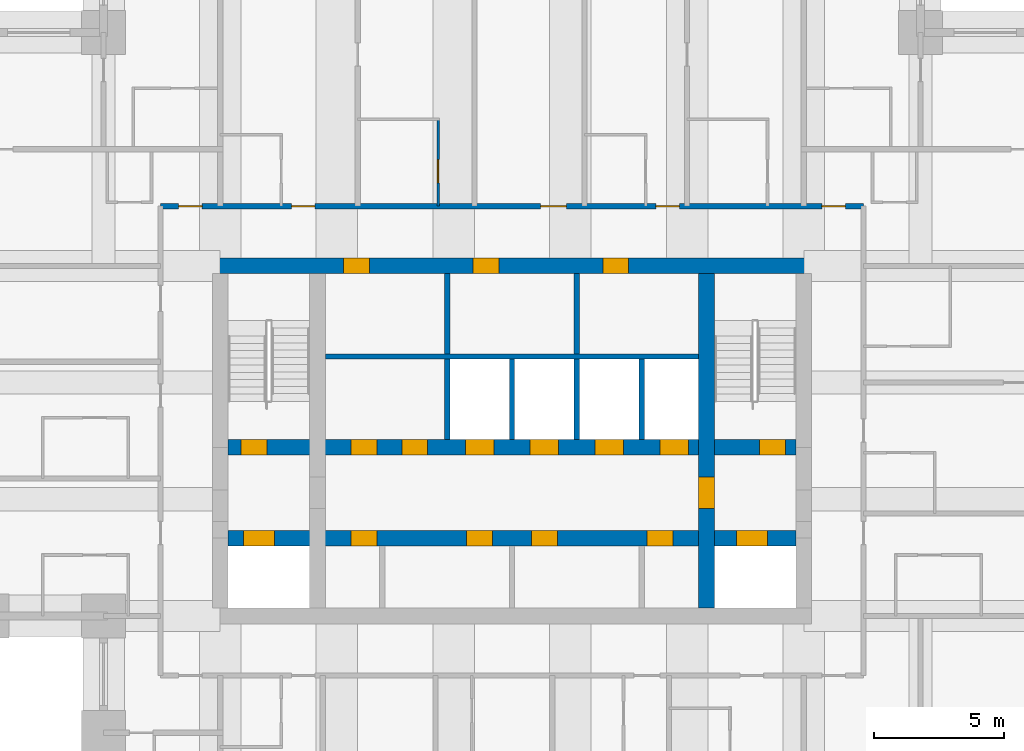
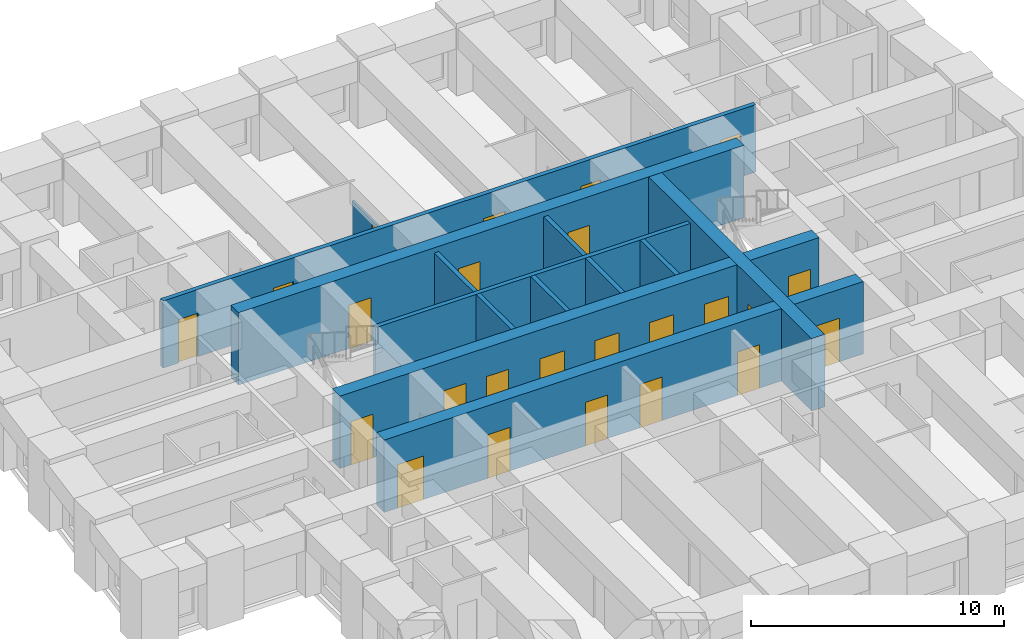
# One storey, part 4 of 8: 24 doors, 13 walls, 24 openings.
"""IFC4 building model written with IfcOpenShell, lengths in metres."""

from ifc_helpers import new_model, si_unit, direction, frame, frame_2d, origin, place, context, subcontext, project, spatial, rectangle, extrude, material, layer, layer_set, type_object, element, fill, save


model = new_model("IFC4")

# Units and contexts
model_context = context("Model", 3, precision=1e-05, world=origin(), true_north=direction((0.0, 1.0)))
body_context = subcontext(model_context, "Body", "Model", "MODEL_VIEW")
ifc_project = project(units=[si_unit("LENGTHUNIT", "METRE"), si_unit("AREAUNIT", "SQUARE_METRE"), si_unit("VOLUMEUNIT", "CUBIC_METRE"), si_unit("PLANEANGLEUNIT", "RADIAN"), si_unit("MASSUNIT", "GRAM", prefix="KILO")], contexts=[model_context])

# Site, building, storey
site_placement = place(None, origin())
site = spatial("IfcSite", under=ifc_project, at=site_placement, CompositionType="ELEMENT")
building_placement = place(site_placement, origin())
building = spatial("IfcBuilding", under=site, at=building_placement, Name="Kilele Tower Hotel", CompositionType="ELEMENT")
storey_placement = place(building_placement, frame((0.0, 0.0, 200.89990234375)))
storey = spatial("IfcBuildingStorey", under=building, at=storey_placement, Name="L52", CompositionType="ELEMENT", Elevation=200.89990234375)

# Wall, opening, door
ifc_material_1 = material(Name="Moisture-resistant board")
ifc_layer_1 = layer(ifc_material_1, 0.10009765625)
ifc_layer_set_1 = layer_set([ifc_layer_1], Name="Moisture-resistant board")
wall_type_1 = type_object("IfcWallType", Name="Bathroom partition 100", PredefinedType="PLUMBINGWALL", material=ifc_layer_set_1)
wall_1_placement = place(storey_placement, frame((21.89990234375, 29.300048828125, 0.0), z_axis=(0.0, 0.0, 1.0), x_axis=(0.0, 1.0, 0.0)))
wall_1 = element("IfcWall", 1, at=wall_1_placement, inside=storey, type_object=wall_type_1, Name="Bathroom partition 100 L52", PredefinedType="PLUMBINGWALL", context=body_context, shape_type="SweptSolid", body=[
    extrude(rectangle(XDim=3.39990234375, YDim=0.10009765625, at=frame_2d((1.699951171875, 0.0))), origin(), (0.0, 0.0, 1.0), 2.25),
])
opening_1_placement = place(wall_1_placement, frame((1.7998046875, 0.0, 0.0), z_axis=(0.0, 0.0, 1.0), x_axis=(-1.0, 0.0, 0.0)))
opening_1 = element("IfcOpeningElement", 2, at=opening_1_placement, cuts=wall_1, Name="Opening D2A", PredefinedType="OPENING", context=body_context, shape_type="SweptSolid", body=[
    extrude(rectangle(XDim=0.89990234375, YDim=2.10009765625, at=frame_2d((0.449951171875, 1.050048828125))), frame((0.0, 0.06005859375, 0.0), z_axis=(0.0, -1.0, 0.0), x_axis=(1.0, 0.0, 0.0)), (0.0, 0.0, 1.0), 0.1201171875),
])
ifc_material_2 = material(Name="Timber door leaf in hardwood frame", Category="wood")
door_type_1 = type_object("IfcDoorType", Name="Bathroom door 900", OperationType="SINGLE_SWING_LEFT", PredefinedType="DOOR", material=ifc_material_2)
door_1_placement = place(opening_1_placement, origin())
door_1 = element("IfcDoor", 3, at=door_1_placement, inside=storey, type_object=door_type_1, Name="Bathroom door 5210B", OperationType="SINGLE_SWING_RIGHT", OverallHeight=2.10009765625, OverallWidth=0.89990234375, PredefinedType="DOOR", context=body_context, shape_type="SweptSolid", body=[
    extrude(rectangle(XDim=0.89990234375, YDim=2.10009765625, at=frame_2d((0.449951171875, 1.050048828125))), frame((0.0, 0.02490234375, 0.0), z_axis=(0.0, -1.0, 0.0), x_axis=(1.0, 0.0, 0.0)), (0.0, 0.0, 1.0), 0.050048828125),
])
fill(opening_1, door_1)

# Wall, openings, doors
ifc_material_3 = material(Name="Concrete C70/85", Category="concrete")
ifc_layer_2 = layer(ifc_material_3, 0.60009765625)
ifc_layer_set_2 = layer_set([ifc_layer_2], Name="Concrete C70/85")
wall_type_2 = type_object("IfcWallType", Name="Core wall 600 C70/85", PredefinedType="SHEAR", material=ifc_layer_set_2)
wall_2_placement = place(storey_placement, frame((36.300048828125, 27.0, 0.0), z_axis=(0.0, 0.0, 1.0), x_axis=(-1.0, 0.0, 0.0)))
wall_2 = element("IfcWall", 4, at=wall_2_placement, inside=storey, type_object=wall_type_2, Name="Core wall N L52", PredefinedType="SHEAR", context=body_context, shape_type="SweptSolid", body=[
    extrude(rectangle(XDim=23.10009765625, YDim=0.60009765625, at=frame_2d((11.550048828125, 0.0))), origin(), (0.0, 0.0, 1.0), 3.5),
])
opening_2_placement = place(wall_2_placement, frame((17.050048828125, 0.0, 0.0)))
opening_2 = element("IfcOpeningElement", 5, at=opening_2_placement, cuts=wall_2, Name="Opening D6", PredefinedType="OPENING", context=body_context, shape_type="SweptSolid", body=[
    extrude(rectangle(XDim=1.0, YDim=2.10009765625, at=frame_2d((0.5, 1.050048828125))), frame((0.0, 0.31005859375, 0.0), z_axis=(0.0, -1.0, 0.0), x_axis=(1.0, 0.0, 0.0)), (0.0, 0.0, 1.0), 0.6201171875),
])
opening_3_placement = place(wall_2_placement, frame((12.050048828125, 0.0, 0.0)))
opening_3 = element("IfcOpeningElement", 6, at=opening_3_placement, cuts=wall_2, Name="Opening D6", PredefinedType="OPENING", context=body_context, shape_type="SweptSolid", body=[
    extrude(rectangle(XDim=1.0, YDim=2.10009765625, at=frame_2d((0.5, 1.050048828125))), frame((0.0, 0.31005859375, 0.0), z_axis=(0.0, -1.0, 0.0), x_axis=(1.0, 0.0, 0.0)), (0.0, 0.0, 1.0), 0.6201171875),
])
opening_4_placement = place(wall_2_placement, frame((7.050048828125, 0.0, 0.0)))
opening_4 = element("IfcOpeningElement", 7, at=opening_4_placement, cuts=wall_2, Name="Opening D6", PredefinedType="OPENING", context=body_context, shape_type="SweptSolid", body=[
    extrude(rectangle(XDim=1.0, YDim=2.10009765625, at=frame_2d((0.5, 1.050048828125))), frame((0.0, 0.31005859375, 0.0), z_axis=(0.0, -1.0, 0.0), x_axis=(1.0, 0.0, 0.0)), (0.0, 0.0, 1.0), 0.6201171875),
])
ifc_material_4 = material(Name="Timber door leaf in hardwood frame", Category="wood")
door_type_2 = type_object("IfcDoorType", Name="Riser door 1000", OperationType="SINGLE_SWING_LEFT", PredefinedType="DOOR", material=ifc_material_4)
door_2_placement = place(opening_2_placement, origin())
door_2 = element("IfcDoor", 8, at=door_2_placement, inside=storey, type_object=door_type_2, Name="Service riser door L52", OperationType="SINGLE_SWING_RIGHT", OverallHeight=2.10009765625, OverallWidth=1.0, PredefinedType="DOOR", context=body_context, shape_type="SweptSolid", body=[
    extrude(rectangle(XDim=1.0, YDim=2.10009765625, at=frame_2d((0.5, 1.050048828125))), frame((0.0, 0.2998046875, 0.0), z_axis=(0.0, -1.0, 0.0), x_axis=(1.0, 0.0, 0.0)), (0.0, 0.0, 1.0), 0.599609375),
])
fill(opening_2, door_2)
door_3_placement = place(opening_3_placement, origin())
door_3 = element("IfcDoor", 9, at=door_3_placement, inside=storey, type_object=door_type_2, Name="Staff WC door L52", OperationType="SINGLE_SWING_RIGHT", OverallHeight=2.10009765625, OverallWidth=1.0, PredefinedType="DOOR", context=body_context, shape_type="SweptSolid", body=[
    extrude(rectangle(XDim=1.0, YDim=2.10009765625, at=frame_2d((0.5, 1.050048828125))), frame((0.0, 0.2998046875, 0.0), z_axis=(0.0, -1.0, 0.0), x_axis=(1.0, 0.0, 0.0)), (0.0, 0.0, 1.0), 0.599609375),
])
fill(opening_3, door_3)
door_4_placement = place(opening_4_placement, origin())
door_4 = element("IfcDoor", 10, at=door_4_placement, inside=storey, type_object=door_type_2, Name="Electrical riser door L52", OperationType="SINGLE_SWING_RIGHT", OverallHeight=2.10009765625, OverallWidth=1.0, PredefinedType="DOOR", context=body_context, shape_type="SweptSolid", body=[
    extrude(rectangle(XDim=1.0, YDim=2.10009765625, at=frame_2d((0.5, 1.050048828125))), frame((0.0, 0.2998046875, 0.0), z_axis=(0.0, -1.0, 0.0), x_axis=(1.0, 0.0, 0.0)), (0.0, 0.0, 1.0), 0.599609375),
])
fill(opening_4, door_4)

# Wall, opening, door
wall_3_placement = place(storey_placement, frame((32.25, 13.800048828125, 0.0), z_axis=(0.0, 0.0, 1.0), x_axis=(0.0, 1.0, 0.0)))
wall_3 = element("IfcWall", 11, at=wall_3_placement, inside=storey, type_object=wall_type_2, Name="Core wall IE L52", PredefinedType="SHEAR", context=body_context, shape_type="SweptSolid", body=[
    extrude(rectangle(XDim=12.89990234375, YDim=0.60009765625, at=frame_2d((6.449951171875, 0.0))), origin(), (0.0, 0.0, 1.0), 3.5),
])
opening_5_placement = place(wall_3_placement, frame((5.050048828125, 0.0, 0.0), z_axis=(0.0, 0.0, 1.0), x_axis=(-1.0, 0.0, 0.0)))
opening_5 = element("IfcOpeningElement", 12, at=opening_5_placement, cuts=wall_3, Name="Opening D4", PredefinedType="OPENING", context=body_context, shape_type="SweptSolid", body=[
    extrude(rectangle(XDim=1.199951171875, YDim=2.10009765625, at=frame_2d((0.60009765625, 1.050048828125))), frame((0.0, 0.31005859375, 0.0), z_axis=(0.0, -1.0, 0.0), x_axis=(1.0, 0.0, 0.0)), (0.0, 0.0, 1.0), 0.6201171875),
])
ifc_material_5 = material(Name="Timber door leaf in hardwood frame", Category="wood")
door_type_3 = type_object("IfcDoorType", Name="Firefighting lobby door 1200", OperationType="SINGLE_SWING_LEFT", PredefinedType="DOOR", material=ifc_material_5)
door_5_placement = place(opening_5_placement, origin())
door_5 = element("IfcDoor", 13, at=door_5_placement, inside=storey, type_object=door_type_3, Name="Lobby door L52", OperationType="SINGLE_SWING_RIGHT", OverallHeight=2.10009765625, OverallWidth=1.199951171875, PredefinedType="DOOR", context=body_context, shape_type="SweptSolid", body=[
    extrude(rectangle(XDim=1.199951171875, YDim=2.10009765625, at=frame_2d((0.60009765625, 1.050048828125))), frame((0.0, 0.2998046875, 0.0), z_axis=(0.0, -1.0, 0.0), x_axis=(1.0, 0.0, 0.0)), (0.0, 0.0, 1.0), 0.599609375),
])
fill(opening_5, door_5)

# Wall, openings, doors
wall_4_placement = place(storey_placement, frame((13.800048828125, 16.5, 0.0), z_axis=(0.0, 0.0, 1.0), x_axis=(1.0, 0.0, 0.0)))
wall_4 = element("IfcWall", 14, at=wall_4_placement, inside=storey, type_object=wall_type_2, Name="Core wall LS L52", PredefinedType="SHEAR", context=body_context, shape_type="SweptSolid", body=[
    extrude(rectangle(XDim=21.89990234375, YDim=0.60009765625, at=frame_2d((10.949951171875, 0.0))), origin(), (0.0, 0.0, 1.0), 3.5),
])
opening_6_placement = place(wall_4_placement, frame((5.75, 0.0, 0.0), z_axis=(0.0, 0.0, 1.0), x_axis=(-1.0, 0.0, 0.0)))
opening_6 = element("IfcOpeningElement", 15, at=opening_6_placement, cuts=wall_4, Name="Opening D11", PredefinedType="OPENING", context=body_context, shape_type="SweptSolid", body=[
    extrude(rectangle(XDim=1.0, YDim=2.10009765625, at=frame_2d((0.5, 1.050048828125))), frame((0.0, 0.31005859375, 0.0), z_axis=(0.0, -1.0, 0.0), x_axis=(1.0, 0.0, 0.0)), (0.0, 0.0, 1.0), 0.6201171875),
])
opening_7_placement = place(wall_4_placement, frame((10.199951171875, 0.0, 0.0), z_axis=(0.0, 0.0, 1.0), x_axis=(-1.0, 0.0, 0.0)))
opening_7 = element("IfcOpeningElement", 16, at=opening_7_placement, cuts=wall_4, Name="Opening D11", PredefinedType="OPENING", context=body_context, shape_type="SweptSolid", body=[
    extrude(rectangle(XDim=1.0, YDim=2.10009765625, at=frame_2d((0.5, 1.050048828125))), frame((0.0, 0.31005859375, 0.0), z_axis=(0.0, -1.0, 0.0), x_axis=(1.0, 0.0, 0.0)), (0.0, 0.0, 1.0), 0.6201171875),
])
opening_8_placement = place(wall_4_placement, frame((12.699951171875, 0.0, 0.0), z_axis=(0.0, 0.0, 1.0), x_axis=(-1.0, 0.0, 0.0)))
opening_8 = element("IfcOpeningElement", 17, at=opening_8_placement, cuts=wall_4, Name="Opening D11", PredefinedType="OPENING", context=body_context, shape_type="SweptSolid", body=[
    extrude(rectangle(XDim=1.0, YDim=2.10009765625, at=frame_2d((0.5, 1.050048828125))), frame((0.0, 0.31005859375, 0.0), z_axis=(0.0, -1.0, 0.0), x_axis=(1.0, 0.0, 0.0)), (0.0, 0.0, 1.0), 0.6201171875),
])
opening_9_placement = place(wall_4_placement, frame((17.14990234375, 0.0, 0.0), z_axis=(0.0, 0.0, 1.0), x_axis=(-1.0, 0.0, 0.0)))
opening_9 = element("IfcOpeningElement", 18, at=opening_9_placement, cuts=wall_4, Name="Opening D11", PredefinedType="OPENING", context=body_context, shape_type="SweptSolid", body=[
    extrude(rectangle(XDim=1.0, YDim=2.10009765625, at=frame_2d((0.5, 1.050048828125))), frame((0.0, 0.31005859375, 0.0), z_axis=(0.0, -1.0, 0.0), x_axis=(1.0, 0.0, 0.0)), (0.0, 0.0, 1.0), 0.6201171875),
])
opening_10_placement = place(wall_4_placement, frame((0.60009765625, 0.0, 0.0)))
opening_10 = element("IfcOpeningElement", 19, at=opening_10_placement, cuts=wall_4, Name="Opening LD2", PredefinedType="OPENING", context=body_context, shape_type="SweptSolid", body=[
    extrude(rectangle(XDim=1.199951171875, YDim=2.10009765625, at=frame_2d((0.60009765625, 1.050048828125))), frame((0.0, 0.31005859375, 0.0), z_axis=(0.0, -1.0, 0.0), x_axis=(1.0, 0.0, 0.0)), (0.0, 0.0, 1.0), 0.6201171875),
])
opening_11_placement = place(wall_4_placement, frame((19.60009765625, 0.0, 0.0)))
opening_11 = element("IfcOpeningElement", 20, at=opening_11_placement, cuts=wall_4, Name="Opening LD2", PredefinedType="OPENING", context=body_context, shape_type="SweptSolid", body=[
    extrude(rectangle(XDim=1.199951171875, YDim=2.10009765625, at=frame_2d((0.60009765625, 1.050048828125))), frame((0.0, 0.31005859375, 0.0), z_axis=(0.0, -1.0, 0.0), x_axis=(1.0, 0.0, 0.0)), (0.0, 0.0, 1.0), 0.6201171875),
])
ifc_material_6 = material(Name="Timber door leaf in hardwood frame", Category="wood")
door_type_4 = type_object("IfcDoorType", Name="Core store door 1000", OperationType="SINGLE_SWING_LEFT", PredefinedType="DOOR", material=ifc_material_6)
door_6_placement = place(opening_6_placement, origin())
door_6 = element("IfcDoor", 21, at=door_6_placement, inside=storey, type_object=door_type_4, Name="Core room door L1 L52", OperationType="SINGLE_SWING_LEFT", OverallHeight=2.10009765625, OverallWidth=1.0, PredefinedType="DOOR", context=body_context, shape_type="SweptSolid", body=[
    extrude(rectangle(XDim=1.0, YDim=2.10009765625, at=frame_2d((0.5, 1.050048828125))), frame((0.0, 0.2998046875, 0.0), z_axis=(0.0, -1.0, 0.0), x_axis=(1.0, 0.0, 0.0)), (0.0, 0.0, 1.0), 0.599609375),
])
fill(opening_6, door_6)
door_7_placement = place(opening_7_placement, origin())
door_7 = element("IfcDoor", 22, at=door_7_placement, inside=storey, type_object=door_type_4, Name="Core room door L3 L52", OperationType="SINGLE_SWING_LEFT", OverallHeight=2.10009765625, OverallWidth=1.0, PredefinedType="DOOR", context=body_context, shape_type="SweptSolid", body=[
    extrude(rectangle(XDim=1.0, YDim=2.10009765625, at=frame_2d((0.5, 1.050048828125))), frame((0.0, 0.2998046875, 0.0), z_axis=(0.0, -1.0, 0.0), x_axis=(1.0, 0.0, 0.0)), (0.0, 0.0, 1.0), 0.599609375),
])
fill(opening_7, door_7)
door_8_placement = place(opening_8_placement, origin())
door_8 = element("IfcDoor", 23, at=door_8_placement, inside=storey, type_object=door_type_4, Name="Core room door M1 L52", OperationType="SINGLE_SWING_RIGHT", OverallHeight=2.10009765625, OverallWidth=1.0, PredefinedType="DOOR", context=body_context, shape_type="SweptSolid", body=[
    extrude(rectangle(XDim=1.0, YDim=2.10009765625, at=frame_2d((0.5, 1.050048828125))), frame((0.0, 0.2998046875, 0.0), z_axis=(0.0, -1.0, 0.0), x_axis=(1.0, 0.0, 0.0)), (0.0, 0.0, 1.0), 0.599609375),
])
fill(opening_8, door_8)
door_9_placement = place(opening_9_placement, origin())
door_9 = element("IfcDoor", 24, at=door_9_placement, inside=storey, type_object=door_type_4, Name="Core room door M3 L52", OperationType="SINGLE_SWING_RIGHT", OverallHeight=2.10009765625, OverallWidth=1.0, PredefinedType="DOOR", context=body_context, shape_type="SweptSolid", body=[
    extrude(rectangle(XDim=1.0, YDim=2.10009765625, at=frame_2d((0.5, 1.050048828125))), frame((0.0, 0.2998046875, 0.0), z_axis=(0.0, -1.0, 0.0), x_axis=(1.0, 0.0, 0.0)), (0.0, 0.0, 1.0), 0.599609375),
])
fill(opening_9, door_9)
ifc_material_7 = material(Name="Steel lift landing door", Category="steel")
door_type_5 = type_object("IfcDoorType", Name="Firefighting lift landing door 1200", OperationType="SLIDING_TO_LEFT", PredefinedType="DOOR", material=ifc_material_7)
door_10_placement = place(opening_10_placement, origin())
door_10 = element("IfcDoor", 25, at=door_10_placement, inside=storey, type_object=door_type_5, Name="Landing door FFW L52", OperationType="SLIDING_TO_LEFT", OverallHeight=2.10009765625, OverallWidth=1.199951171875, PredefinedType="DOOR", context=body_context, shape_type="SweptSolid", body=[
    extrude(rectangle(XDim=1.199951171875, YDim=2.10009765625, at=frame_2d((0.60009765625, 1.050048828125))), frame((0.0, 0.2998046875, 0.0), z_axis=(0.0, -1.0, 0.0), x_axis=(1.0, 0.0, 0.0)), (0.0, 0.0, 1.0), 0.599609375),
])
fill(opening_10, door_10)
door_11_placement = place(opening_11_placement, origin())
door_11 = element("IfcDoor", 26, at=door_11_placement, inside=storey, type_object=door_type_5, Name="Landing door FFE L52", OperationType="SLIDING_TO_LEFT", OverallHeight=2.10009765625, OverallWidth=1.199951171875, PredefinedType="DOOR", context=body_context, shape_type="SweptSolid", body=[
    extrude(rectangle(XDim=1.199951171875, YDim=2.10009765625, at=frame_2d((0.60009765625, 1.050048828125))), frame((0.0, 0.2998046875, 0.0), z_axis=(0.0, -1.0, 0.0), x_axis=(1.0, 0.0, 0.0)), (0.0, 0.0, 1.0), 0.599609375),
])
fill(opening_11, door_11)

wall_5_placement = place(storey_placement, frame((13.800048828125, 20.0, 0.0), z_axis=(0.0, 0.0, 1.0), x_axis=(1.0, 0.0, 0.0)))
wall_5 = element("IfcWall", 27, at=wall_5_placement, inside=storey, type_object=wall_type_2, Name="Core wall LN L52", PredefinedType="SHEAR", context=body_context, shape_type="SweptSolid", body=[
    extrude(rectangle(XDim=21.89990234375, YDim=0.60009765625, at=frame_2d((10.949951171875, 0.0))), origin(), (0.0, 0.0, 1.0), 3.5),
])
opening_12_placement = place(wall_5_placement, frame((0.5, 0.0, 0.0)))
opening_12 = element("IfcOpeningElement", 28, at=opening_12_placement, cuts=wall_5, Name="Opening D5", PredefinedType="OPENING", context=body_context, shape_type="SweptSolid", body=[
    extrude(rectangle(XDim=1.0, YDim=2.10009765625, at=frame_2d((0.5, 1.050048828125))), frame((0.0, 0.31005859375, 0.0), z_axis=(0.0, -1.0, 0.0), x_axis=(1.0, 0.0, 0.0)), (0.0, 0.0, 1.0), 0.6201171875),
])
opening_13_placement = place(wall_5_placement, frame((20.5, 0.0, 0.0)))
opening_13 = element("IfcOpeningElement", 29, at=opening_13_placement, cuts=wall_5, Name="Opening D5", PredefinedType="OPENING", context=body_context, shape_type="SweptSolid", body=[
    extrude(rectangle(XDim=1.0, YDim=2.10009765625, at=frame_2d((0.5, 1.050048828125))), frame((0.0, 0.31005859375, 0.0), z_axis=(0.0, -1.0, 0.0), x_axis=(1.0, 0.0, 0.0)), (0.0, 0.0, 1.0), 0.6201171875),
])
opening_14_placement = place(wall_5_placement, frame((9.14990234375, 0.0, 0.0)))
opening_14 = element("IfcOpeningElement", 30, at=opening_14_placement, cuts=wall_5, Name="Opening LD1", PredefinedType="OPENING", context=body_context, shape_type="SweptSolid", body=[
    extrude(rectangle(XDim=1.10009765625, YDim=2.10009765625, at=frame_2d((0.550048828125, 1.050048828125))), frame((0.0, 0.31005859375, 0.0), z_axis=(0.0, -1.0, 0.0), x_axis=(1.0, 0.0, 0.0)), (0.0, 0.0, 1.0), 0.6201171875),
])
opening_15_placement = place(wall_5_placement, frame((11.64990234375, 0.0, 0.0)))
opening_15 = element("IfcOpeningElement", 31, at=opening_15_placement, cuts=wall_5, Name="Opening LD1", PredefinedType="OPENING", context=body_context, shape_type="SweptSolid", body=[
    extrude(rectangle(XDim=1.10009765625, YDim=2.10009765625, at=frame_2d((0.550048828125, 1.050048828125))), frame((0.0, 0.31005859375, 0.0), z_axis=(0.0, -1.0, 0.0), x_axis=(1.0, 0.0, 0.0)), (0.0, 0.0, 1.0), 0.6201171875),
])
opening_16_placement = place(wall_5_placement, frame((14.14990234375, 0.0, 0.0)))
opening_16 = element("IfcOpeningElement", 32, at=opening_16_placement, cuts=wall_5, Name="Opening LD1", PredefinedType="OPENING", context=body_context, shape_type="SweptSolid", body=[
    extrude(rectangle(XDim=1.10009765625, YDim=2.10009765625, at=frame_2d((0.550048828125, 1.050048828125))), frame((0.0, 0.31005859375, 0.0), z_axis=(0.0, -1.0, 0.0), x_axis=(1.0, 0.0, 0.0)), (0.0, 0.0, 1.0), 0.6201171875),
])
opening_17_placement = place(wall_5_placement, frame((16.64990234375, 0.0, 0.0)))
opening_17 = element("IfcOpeningElement", 33, at=opening_17_placement, cuts=wall_5, Name="Opening LD1", PredefinedType="OPENING", context=body_context, shape_type="SweptSolid", body=[
    extrude(rectangle(XDim=1.10009765625, YDim=2.10009765625, at=frame_2d((0.550048828125, 1.050048828125))), frame((0.0, 0.31005859375, 0.0), z_axis=(0.0, -1.0, 0.0), x_axis=(1.0, 0.0, 0.0)), (0.0, 0.0, 1.0), 0.6201171875),
])
opening_18_placement = place(wall_5_placement, frame((4.75, 0.0, 0.0)))
opening_18 = element("IfcOpeningElement", 34, at=opening_18_placement, cuts=wall_5, Name="Opening D11", PredefinedType="OPENING", context=body_context, shape_type="SweptSolid", body=[
    extrude(rectangle(XDim=1.0, YDim=2.10009765625, at=frame_2d((0.5, 1.050048828125))), frame((0.0, 0.31005859375, 0.0), z_axis=(0.0, -1.0, 0.0), x_axis=(1.0, 0.0, 0.0)), (0.0, 0.0, 1.0), 0.6201171875),
])
opening_19_placement = place(wall_5_placement, frame((6.699951171875, 0.0, 0.0)))
opening_19 = element("IfcOpeningElement", 35, at=opening_19_placement, cuts=wall_5, Name="Opening D11", PredefinedType="OPENING", context=body_context, shape_type="SweptSolid", body=[
    extrude(rectangle(XDim=1.0, YDim=2.10009765625, at=frame_2d((0.5, 1.050048828125))), frame((0.0, 0.31005859375, 0.0), z_axis=(0.0, -1.0, 0.0), x_axis=(1.0, 0.0, 0.0)), (0.0, 0.0, 1.0), 0.6201171875),
])
door_12_placement = place(opening_18_placement, origin())
door_12 = element("IfcDoor", 36, at=door_12_placement, inside=storey, type_object=door_type_4, Name="Core room door S1 L52", OperationType="SINGLE_SWING_LEFT", OverallHeight=2.10009765625, OverallWidth=1.0, PredefinedType="DOOR", context=body_context, shape_type="SweptSolid", body=[
    extrude(rectangle(XDim=1.0, YDim=2.10009765625, at=frame_2d((0.5, 1.050048828125))), frame((0.0, 0.2998046875, 0.0), z_axis=(0.0, -1.0, 0.0), x_axis=(1.0, 0.0, 0.0)), (0.0, 0.0, 1.0), 0.599609375),
])
fill(opening_18, door_12)
door_13_placement = place(opening_19_placement, origin())
door_13 = element("IfcDoor", 37, at=door_13_placement, inside=storey, type_object=door_type_4, Name="Core room door S2 L52", OperationType="SINGLE_SWING_RIGHT", OverallHeight=2.10009765625, OverallWidth=1.0, PredefinedType="DOOR", context=body_context, shape_type="SweptSolid", body=[
    extrude(rectangle(XDim=1.0, YDim=2.10009765625, at=frame_2d((0.5, 1.050048828125))), frame((0.0, 0.2998046875, 0.0), z_axis=(0.0, -1.0, 0.0), x_axis=(1.0, 0.0, 0.0)), (0.0, 0.0, 1.0), 0.599609375),
])
fill(opening_19, door_13)
ifc_material_8 = material(Name="Steel lift landing door", Category="steel")
door_type_6 = type_object("IfcDoorType", Name="Lift landing door 1100", OperationType="SLIDING_TO_LEFT", PredefinedType="DOOR", material=ifc_material_8)
door_14_placement = place(opening_14_placement, origin())
door_14 = element("IfcDoor", 38, at=door_14_placement, inside=storey, type_object=door_type_6, Name="Landing door H1 L52", OperationType="SLIDING_TO_LEFT", OverallHeight=2.10009765625, OverallWidth=1.10009765625, PredefinedType="DOOR", context=body_context, shape_type="SweptSolid", body=[
    extrude(rectangle(XDim=1.10009765625, YDim=2.10009765625, at=frame_2d((0.550048828125, 1.050048828125))), frame((0.0, 0.2998046875, 0.0), z_axis=(0.0, -1.0, 0.0), x_axis=(1.0, 0.0, 0.0)), (0.0, 0.0, 1.0), 0.599609375),
])
fill(opening_14, door_14)
door_15_placement = place(opening_15_placement, origin())
door_15 = element("IfcDoor", 39, at=door_15_placement, inside=storey, type_object=door_type_6, Name="Landing door H2 L52", OperationType="SLIDING_TO_LEFT", OverallHeight=2.10009765625, OverallWidth=1.10009765625, PredefinedType="DOOR", context=body_context, shape_type="SweptSolid", body=[
    extrude(rectangle(XDim=1.10009765625, YDim=2.10009765625, at=frame_2d((0.550048828125, 1.050048828125))), frame((0.0, 0.2998046875, 0.0), z_axis=(0.0, -1.0, 0.0), x_axis=(1.0, 0.0, 0.0)), (0.0, 0.0, 1.0), 0.599609375),
])
fill(opening_15, door_15)
door_16_placement = place(opening_16_placement, origin())
door_16 = element("IfcDoor", 40, at=door_16_placement, inside=storey, type_object=door_type_6, Name="Landing door H3 L52", OperationType="SLIDING_TO_LEFT", OverallHeight=2.10009765625, OverallWidth=1.10009765625, PredefinedType="DOOR", context=body_context, shape_type="SweptSolid", body=[
    extrude(rectangle(XDim=1.10009765625, YDim=2.10009765625, at=frame_2d((0.550048828125, 1.050048828125))), frame((0.0, 0.2998046875, 0.0), z_axis=(0.0, -1.0, 0.0), x_axis=(1.0, 0.0, 0.0)), (0.0, 0.0, 1.0), 0.599609375),
])
fill(opening_16, door_16)
door_17_placement = place(opening_17_placement, origin())
door_17 = element("IfcDoor", 41, at=door_17_placement, inside=storey, type_object=door_type_6, Name="Landing door G1 L52", OperationType="SLIDING_TO_LEFT", OverallHeight=2.10009765625, OverallWidth=1.10009765625, PredefinedType="DOOR", context=body_context, shape_type="SweptSolid", body=[
    extrude(rectangle(XDim=1.10009765625, YDim=2.10009765625, at=frame_2d((0.550048828125, 1.050048828125))), frame((0.0, 0.2998046875, 0.0), z_axis=(0.0, -1.0, 0.0), x_axis=(1.0, 0.0, 0.0)), (0.0, 0.0, 1.0), 0.599609375),
])
fill(opening_17, door_17)
ifc_material_9 = material(Name="Timber door leaf in hardwood frame", Category="wood")
door_type_7 = type_object("IfcDoorType", Name="Stair door 1000", OperationType="SINGLE_SWING_LEFT", PredefinedType="DOOR", material=ifc_material_9)
door_18_placement = place(opening_12_placement, origin())
door_18 = element("IfcDoor", 42, at=door_18_placement, inside=storey, type_object=door_type_7, Name="Stair 1 door L52", OperationType="SINGLE_SWING_LEFT", OverallHeight=2.10009765625, OverallWidth=1.0, PredefinedType="DOOR", context=body_context, shape_type="SweptSolid", body=[
    extrude(rectangle(XDim=1.0, YDim=2.10009765625, at=frame_2d((0.5, 1.050048828125))), frame((0.0, 0.2998046875, 0.0), z_axis=(0.0, -1.0, 0.0), x_axis=(1.0, 0.0, 0.0)), (0.0, 0.0, 1.0), 0.599609375),
])
fill(opening_12, door_18)
door_19_placement = place(opening_13_placement, origin())
door_19 = element("IfcDoor", 43, at=door_19_placement, inside=storey, type_object=door_type_7, Name="Stair 2 door L52", OperationType="SINGLE_SWING_RIGHT", OverallHeight=2.10009765625, OverallWidth=1.0, PredefinedType="DOOR", context=body_context, shape_type="SweptSolid", body=[
    extrude(rectangle(XDim=1.0, YDim=2.10009765625, at=frame_2d((0.5, 1.050048828125))), frame((0.0, 0.2998046875, 0.0), z_axis=(0.0, -1.0, 0.0), x_axis=(1.0, 0.0, 0.0)), (0.0, 0.0, 1.0), 0.599609375),
])
fill(opening_13, door_19)

ifc_material_10 = material(Name="Blockwork, plastered both sides", Category="masonry")
ifc_layer_3 = layer(ifc_material_10, 0.199951171875)
ifc_layer_set_3 = layer_set([ifc_layer_3], Name="Blockwork, plastered both sides")
wall_type_3 = type_object("IfcWallType", Name="Corridor wall 200", PredefinedType="PARTITIONING", material=ifc_layer_set_3)
wall_6_placement = place(storey_placement, frame((11.199951171875, 29.300048828125, 0.0), z_axis=(0.0, 0.0, 1.0), x_axis=(1.0, 0.0, 0.0)))
wall_6 = element("IfcWall", 44, at=wall_6_placement, inside=storey, type_object=wall_type_3, Name="Corridor wall 200 L52", PredefinedType="PARTITIONING", context=body_context, shape_type="SweptSolid", body=[
    extrude(rectangle(XDim=27.10009765625, YDim=0.199951171875, at=frame_2d((13.550048828125, 0.0))), origin(), (0.0, 0.0, 1.0), 3.25),
])
opening_20_placement = place(wall_6_placement, frame((5.050048828125, 0.0, 0.0)))
opening_20 = element("IfcOpeningElement", 45, at=opening_20_placement, cuts=wall_6, Name="Opening D1", PredefinedType="OPENING", context=body_context, shape_type="SweptSolid", body=[
    extrude(rectangle(XDim=0.89990234375, YDim=2.10009765625, at=frame_2d((0.449951171875, 1.050048828125))), frame((0.0, 0.10986328125, 0.0), z_axis=(0.0, -1.0, 0.0), x_axis=(1.0, 0.0, 0.0)), (0.0, 0.0, 1.0), 0.219970703125),
])
opening_21_placement = place(wall_6_placement, frame((14.64990234375, 0.0, 0.0)))
opening_21 = element("IfcOpeningElement", 46, at=opening_21_placement, cuts=wall_6, Name="Opening D8", PredefinedType="OPENING", context=body_context, shape_type="SweptSolid", body=[
    extrude(rectangle(XDim=1.0, YDim=2.10009765625, at=frame_2d((0.5, 1.050048828125))), frame((0.0, 0.10986328125, 0.0), z_axis=(0.0, -1.0, 0.0), x_axis=(1.0, 0.0, 0.0)), (0.0, 0.0, 1.0), 0.219970703125),
])
opening_22_placement = place(wall_6_placement, frame((19.10009765625, 0.0, 0.0)))
opening_22 = element("IfcOpeningElement", 47, at=opening_22_placement, cuts=wall_6, Name="Opening D1", PredefinedType="OPENING", context=body_context, shape_type="SweptSolid", body=[
    extrude(rectangle(XDim=0.89990234375, YDim=2.10009765625, at=frame_2d((0.449951171875, 1.050048828125))), frame((0.0, 0.10986328125, 0.0), z_axis=(0.0, -1.0, 0.0), x_axis=(1.0, 0.0, 0.0)), (0.0, 0.0, 1.0), 0.219970703125),
])
opening_23_placement = place(wall_6_placement, frame((25.5, 0.0, 0.0)))
opening_23 = element("IfcOpeningElement", 48, at=opening_23_placement, cuts=wall_6, Name="Opening D1", PredefinedType="OPENING", context=body_context, shape_type="SweptSolid", body=[
    extrude(rectangle(XDim=0.89990234375, YDim=2.10009765625, at=frame_2d((0.449951171875, 1.050048828125))), frame((0.0, 0.10986328125, 0.0), z_axis=(0.0, -1.0, 0.0), x_axis=(1.0, 0.0, 0.0)), (0.0, 0.0, 1.0), 0.219970703125),
])
opening_24_placement = place(wall_6_placement, frame((0.699951171875, 0.0, 0.0)))
opening_24 = element("IfcOpeningElement", 49, at=opening_24_placement, cuts=wall_6, Name="Opening D1", PredefinedType="OPENING", context=body_context, shape_type="SweptSolid", body=[
    extrude(rectangle(XDim=0.89990234375, YDim=2.10009765625, at=frame_2d((0.449951171875, 1.050048828125))), frame((0.0, 0.10986328125, 0.0), z_axis=(0.0, -1.0, 0.0), x_axis=(1.0, 0.0, 0.0)), (0.0, 0.0, 1.0), 0.219970703125),
])
ifc_material_11 = material(Name="Timber door leaf in hardwood frame", Category="wood")
door_type_8 = type_object("IfcDoorType", Name="Door 1000", OperationType="SINGLE_SWING_LEFT", PredefinedType="DOOR", material=ifc_material_11)
door_20_placement = place(opening_21_placement, origin())
door_20 = element("IfcDoor", 50, at=door_20_placement, inside=storey, type_object=door_type_8, Name="Room entrance 5211", OperationType="SINGLE_SWING_RIGHT", OverallHeight=2.10009765625, OverallWidth=1.0, PredefinedType="DOOR", context=body_context, shape_type="SweptSolid", body=[
    extrude(rectangle(XDim=1.0, YDim=2.10009765625, at=frame_2d((0.5, 1.050048828125))), frame((0.0, 0.02490234375, 0.0), z_axis=(0.0, -1.0, 0.0), x_axis=(1.0, 0.0, 0.0)), (0.0, 0.0, 1.0), 0.050048828125),
])
fill(opening_21, door_20)
ifc_material_12 = material(Name="Timber door leaf in hardwood frame", Category="wood")
door_type_9 = type_object("IfcDoorType", Name="Guest room entrance door 900", OperationType="SINGLE_SWING_LEFT", PredefinedType="DOOR", material=ifc_material_12)
door_21_placement = place(opening_20_placement, origin())
door_21 = element("IfcDoor", 51, at=door_21_placement, inside=storey, type_object=door_type_9, Name="Room entrance 5209", OperationType="SINGLE_SWING_LEFT", OverallHeight=2.10009765625, OverallWidth=0.89990234375, PredefinedType="DOOR", context=body_context, shape_type="SweptSolid", body=[
    extrude(rectangle(XDim=0.89990234375, YDim=2.10009765625, at=frame_2d((0.449951171875, 1.050048828125))), frame((0.0, 0.02490234375, 0.0), z_axis=(0.0, -1.0, 0.0), x_axis=(1.0, 0.0, 0.0)), (0.0, 0.0, 1.0), 0.050048828125),
])
fill(opening_20, door_21)
door_22_placement = place(opening_22_placement, origin())
door_22 = element("IfcDoor", 52, at=door_22_placement, inside=storey, type_object=door_type_9, Name="Room entrance 5212", OperationType="SINGLE_SWING_RIGHT", OverallHeight=2.10009765625, OverallWidth=0.89990234375, PredefinedType="DOOR", context=body_context, shape_type="SweptSolid", body=[
    extrude(rectangle(XDim=0.89990234375, YDim=2.10009765625, at=frame_2d((0.449951171875, 1.050048828125))), frame((0.0, 0.02490234375, 0.0), z_axis=(0.0, -1.0, 0.0), x_axis=(1.0, 0.0, 0.0)), (0.0, 0.0, 1.0), 0.050048828125),
])
fill(opening_22, door_22)
door_23_placement = place(opening_23_placement, origin())
door_23 = element("IfcDoor", 53, at=door_23_placement, inside=storey, type_object=door_type_9, Name="Room entrance 5222", OperationType="SINGLE_SWING_LEFT", OverallHeight=2.10009765625, OverallWidth=0.89990234375, PredefinedType="DOOR", context=body_context, shape_type="SweptSolid", body=[
    extrude(rectangle(XDim=0.89990234375, YDim=2.10009765625, at=frame_2d((0.449951171875, 1.050048828125))), frame((0.0, 0.02490234375, 0.0), z_axis=(0.0, -1.0, 0.0), x_axis=(1.0, 0.0, 0.0)), (0.0, 0.0, 1.0), 0.050048828125),
])
fill(opening_23, door_23)
door_24_placement = place(opening_24_placement, origin())
door_24 = element("IfcDoor", 54, at=door_24_placement, inside=storey, type_object=door_type_9, Name="Room entrance 5225", OperationType="SINGLE_SWING_RIGHT", OverallHeight=2.10009765625, OverallWidth=0.89990234375, PredefinedType="DOOR", context=body_context, shape_type="SweptSolid", body=[
    extrude(rectangle(XDim=0.89990234375, YDim=2.10009765625, at=frame_2d((0.449951171875, 1.050048828125))), frame((0.0, 0.02490234375, 0.0), z_axis=(0.0, -1.0, 0.0), x_axis=(1.0, 0.0, 0.0)), (0.0, 0.0, 1.0), 0.050048828125),
])
fill(opening_24, door_24)

# Walls
ifc_material_13 = material(Name="Blockwork, fire-rated", Category="masonry")
ifc_layer_4 = layer(ifc_material_13, 0.199951171875)
ifc_layer_set_4 = layer_set([ifc_layer_4], Name="Blockwork, fire-rated")
wall_type_4 = type_object("IfcWallType", Name="Shaft wall 200", PredefinedType="PARTITIONING", material=ifc_layer_set_4)
for number, where, z_axis, x_axis, name in (
    (55, (22.25, 20.300048828125, 0.0), (0.0, 0.0, 1.0), (0.0, 1.0, 0.0), "Shaft wall 200 L52"),
    (56, (24.75, 20.300048828125, 0.0), (0.0, 0.0, 1.0), (0.0, 1.0, 0.0), "Shaft wall 200 L52"),
    (57, (27.25, 20.300048828125, 0.0), (0.0, 0.0, 1.0), (0.0, 1.0, 0.0), "Shaft wall 200 L52"),
    (58, (29.75, 20.300048828125, 0.0), (0.0, 0.0, 1.0), (0.0, 1.0, 0.0), "Shaft wall 200 L52"),
):
    element("IfcWall", number, at=place(storey_placement, frame(where, z_axis=z_axis, x_axis=x_axis)), inside=storey, type_object=wall_type_4, Name=name, PredefinedType="PARTITIONING", context=body_context, shape_type="SweptSolid", body=[
        extrude(rectangle(XDim=3.099853515625, YDim=0.199951171875, at=frame_2d((1.5498046875, 0.0))), origin(), (0.0, 0.0, 1.0), 3.25),
    ])
wall_7_placement = place(storey_placement, frame((17.550048828125, 23.5, 0.0), z_axis=(0.0, 0.0, 1.0), x_axis=(1.0, 0.0, 0.0)))
element("IfcWall", 59, at=wall_7_placement, inside=storey, type_object=wall_type_4, Name="Shaft wall 200 L52", PredefinedType="PARTITIONING", context=body_context, shape_type="SweptSolid", body=[
    extrude(rectangle(XDim=14.39990234375, YDim=0.199951171875, at=frame_2d((7.199951171875, 0.0))), origin(), (0.0, 0.0, 1.0), 3.25),
])
for number, where, z_axis, x_axis, name in (
    (60, (22.25, 23.60009765625, 0.0), (0.0, 0.0, 1.0), (0.0, 1.0, 0.0), "Shaft wall 200 L52"),
    (61, (27.25, 23.60009765625, 0.0), (0.0, 0.0, 1.0), (0.0, 1.0, 0.0), "Shaft wall 200 L52"),
):
    element("IfcWall", number, at=place(storey_placement, frame(where, z_axis=z_axis, x_axis=x_axis)), inside=storey, type_object=wall_type_4, Name=name, PredefinedType="PARTITIONING", context=body_context, shape_type="SweptSolid", body=[
        extrude(rectangle(XDim=3.099853515625, YDim=0.199951171875, at=frame_2d((1.5498046875, 0.0))), origin(), (0.0, 0.0, 1.0), 3.25),
    ])

save(model, "model.ifc")
